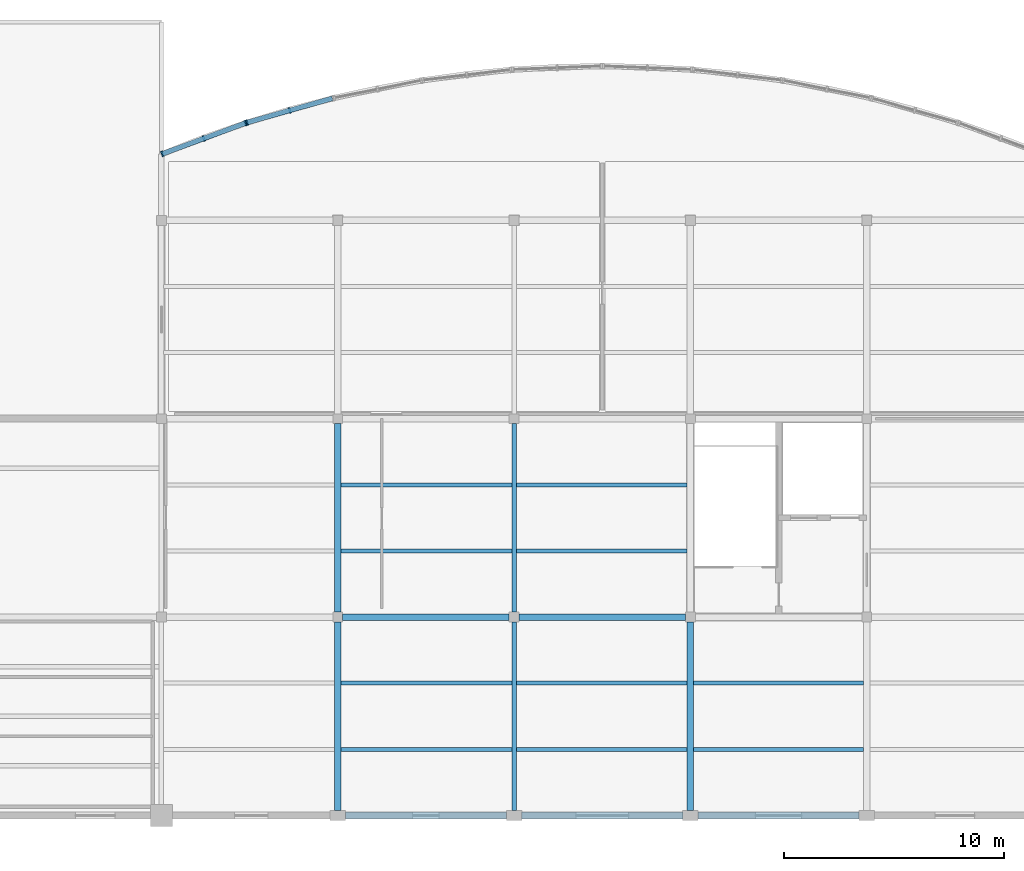
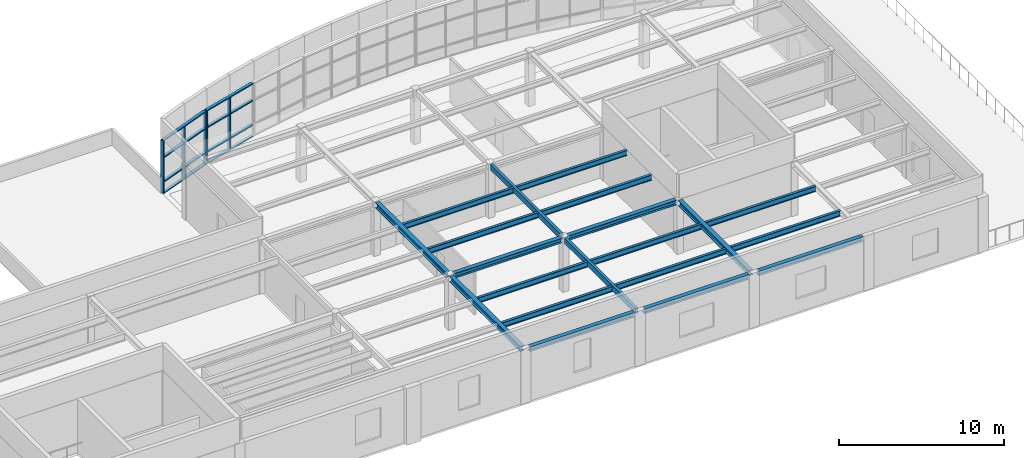
# One storey, part 2 of 9: 20 beams, 13 members, 2 elements without a shape of their own.
"""IFC4 building model written with IfcOpenShell, lengths in metres."""

from ifc_helpers import new_model, si_unit, direction, frame, origin, origin_2d, place, context, subcontext, project, spatial, rectangle, hollow_rectangle, i_section, extrude, material, layer, layer_set, material_profile, profile_set, type_object, element, aggregate, save


model = new_model("IFC4")

# Units and contexts
model_context = context("Model", 3, precision=1e-05, world=origin(), true_north=direction((0.0, 1.0)))
body_context = subcontext(model_context, "Body", "Model", "MODEL_VIEW")
ifc_project = project(units=[si_unit("LENGTHUNIT", "METRE"), si_unit("AREAUNIT", "SQUARE_METRE"), si_unit("VOLUMEUNIT", "CUBIC_METRE"), si_unit("PLANEANGLEUNIT", "RADIAN"), si_unit("MASSUNIT", "GRAM", prefix="KILO")], contexts=[model_context])

# Site, building, storey
site_placement = place(None, origin())
site = spatial("IfcSite", under=ifc_project, at=site_placement, CompositionType="ELEMENT")
building_placement = place(site_placement, origin())
building = spatial("IfcBuilding", under=site, at=building_placement, Name="Keelwater Ferry Terminal", CompositionType="ELEMENT")
storey_placement = place(building_placement, frame((0.0, 0.0, 23.699951171875)))
storey = spatial("IfcBuildingStorey", under=building, at=storey_placement, Name="L05", CompositionType="ELEMENT", Elevation=23.699951171875)

# Curtain wall, members
ifc_material_1 = material(Name="Thermally broken unitised aluminium and triple glass", Category="aluminium")
ifc_layer = layer(ifc_material_1, 0.179931640625)
ifc_layer_set = layer_set([ifc_layer], Name="Thermally broken unitised aluminium and triple glass")
curtain_wall_type = type_object("IfcCurtainWallType", Name="CW-24 Unitised Curtain Wall 4015x3900", PredefinedType="USERDEFINED", material=ifc_layer_set)
curtain_wall_1_placement = place(storey_placement, origin())
curtain_wall_1 = element("IfcCurtainWall", 1, at=curtain_wall_1_placement, inside=storey, type_object=curtain_wall_type, Name="Unitised Curtain Wall CW-L05-231", ObjectType="UNITISED CURTAIN WALL", PredefinedType="USERDEFINED")
ifc_material_2 = material(Name="Aluminium mullion", Category="aluminium")
ifc_material_profile_1 = material_profile(ifc_material_2, rectangle(XDim=0.080078125, YDim=0.25, at=origin_2d()), Name="CWM-04")
ifc_profile_set_1 = profile_set([ifc_material_profile_1], Name="Aluminium mullion")
member_type_1 = type_object("IfcMemberType", Name="CWM-04 Curtain Mullion 80x250", PredefinedType="MULLION", material=ifc_profile_set_1)
member_1_placement = place(storey_placement, frame((137.822509765625, 121.988037109375, 0.0), z_axis=(0.0, 0.0, 1.0), x_axis=(-0.962029778706, -0.272944508797, 0.0)))
member_1 = element("IfcMember", 2, at=member_1_placement, type_object=member_type_1, Name="CW-L05-231 Mullion 2", PredefinedType="MULLION", context=body_context, shape_type="SweptSolid", body=[
    extrude(rectangle(XDim=0.080078125, YDim=0.25, at=origin_2d()), origin(), (0.0, 0.0, 1.0), 3.900146484375),
])
member_2_placement = place(storey_placement, frame((135.89111328125, 121.43994140625, 0.0), z_axis=(0.0, 0.0, 1.0), x_axis=(-0.962029778706, -0.272944508797, 0.0)))
member_2 = element("IfcMember", 3, at=member_2_placement, type_object=member_type_1, Name="CW-L05-231 Mullion 3", PredefinedType="MULLION", context=body_context, shape_type="SweptSolid", body=[
    extrude(rectangle(XDim=0.080078125, YDim=0.25, at=origin_2d()), origin(), (0.0, 0.0, 1.0), 3.900146484375),
])

curtain_wall_2_placement = place(storey_placement, origin())
curtain_wall_2 = element("IfcCurtainWall", 4, at=curtain_wall_2_placement, inside=storey, type_object=curtain_wall_type, Name="Unitised Curtain Wall CW-L05-232", ObjectType="UNITISED CURTAIN WALL", PredefinedType="USERDEFINED")
member_3_placement = place(storey_placement, frame((135.805908203125, 121.412109375, 0.0), z_axis=(0.0, 0.0, 1.0), x_axis=(-0.937592418253, -0.347736189136, 0.0)))
member_3 = element("IfcMember", 5, at=member_3_placement, type_object=member_type_1, Name="CW-L05-232 Mullion 1", PredefinedType="MULLION", context=body_context, shape_type="SweptSolid", body=[
    extrude(rectangle(XDim=0.080078125, YDim=0.25, at=origin_2d()), origin(), (0.0, 0.0, 1.0), 3.900146484375),
])
member_4_placement = place(storey_placement, frame((133.924072265625, 120.714111328125, 0.0), z_axis=(0.0, 0.0, 1.0), x_axis=(-0.937592418253, -0.347736189136, 0.0)))
member_4 = element("IfcMember", 6, at=member_4_placement, type_object=member_type_1, Name="CW-L05-232 Mullion 2", PredefinedType="MULLION", context=body_context, shape_type="SweptSolid", body=[
    extrude(rectangle(XDim=0.080078125, YDim=0.25, at=origin_2d()), origin(), (0.0, 0.0, 1.0), 3.900146484375),
])
member_5_placement = place(storey_placement, frame((132.0419921875, 120.01611328125, 0.0), z_axis=(0.0, 0.0, 1.0), x_axis=(-0.937592418253, -0.347736189136, 0.0)))
member_5 = element("IfcMember", 7, at=member_5_placement, type_object=member_type_1, Name="CW-L05-232 Mullion 3", PredefinedType="MULLION", context=body_context, shape_type="SweptSolid", body=[
    extrude(rectangle(XDim=0.080078125, YDim=0.25, at=origin_2d()), origin(), (0.0, 0.0, 1.0), 3.900146484375),
])

# Member
ifc_material_3 = material(Name="Aluminium mullion", Category="aluminium")
ifc_material_profile_2 = material_profile(ifc_material_3, rectangle(XDim=0.219970703125, YDim=0.080078125, at=origin_2d()), Name="CWT-04")
ifc_profile_set_2 = profile_set([ifc_material_profile_2], Name="Aluminium mullion")
member_type_2 = type_object("IfcMemberType", Name="CWT-04 Curtain Transom 80x220", PredefinedType="USERDEFINED", material=ifc_profile_set_2)
member_6_placement = place(storey_placement, frame((139.75390625, 122.535888671875, 0.0), z_axis=(-0.962029386072, -0.272945892686, 0.0), x_axis=(0.272945892686, -0.962029386072, 0.0)))
member_6 = element("IfcMember", 8, at=member_6_placement, type_object=member_type_2, Name="CW-L05-231 Transom 1", ObjectType="TRANSOM", PredefinedType="USERDEFINED", context=body_context, shape_type="SweptSolid", body=[
    extrude(rectangle(XDim=0.219970703125, YDim=0.080078125, at=origin_2d()), origin(), (0.0, 0.0, 1.0), 4.01513671875),
])

member_7_placement = place(storey_placement, frame((139.75390625, 122.535888671875, 0.85009765625), z_axis=(-0.962029386072, -0.272945892686, 0.0), x_axis=(0.272945892686, -0.962029386072, 0.0)))
member_7 = element("IfcMember", 9, at=member_7_placement, type_object=member_type_2, Name="CW-L05-231 Transom 2", ObjectType="TRANSOM", PredefinedType="USERDEFINED", context=body_context, shape_type="SweptSolid", body=[
    extrude(rectangle(XDim=0.219970703125, YDim=0.080078125, at=origin_2d()), origin(), (0.0, 0.0, 1.0), 4.01513671875),
])

member_8_placement = place(storey_placement, frame((139.75390625, 122.535888671875, 2.650146484375), z_axis=(-0.962029386072, -0.272945892686, 0.0), x_axis=(0.272945892686, -0.962029386072, 0.0)))
member_8 = element("IfcMember", 10, at=member_8_placement, type_object=member_type_2, Name="CW-L05-231 Transom 3", ObjectType="TRANSOM", PredefinedType="USERDEFINED", context=body_context, shape_type="SweptSolid", body=[
    extrude(rectangle(XDim=0.219970703125, YDim=0.080078125, at=origin_2d()), origin(), (0.0, 0.0, 1.0), 4.01513671875),
])

member_9_placement = place(storey_placement, frame((139.75390625, 122.535888671875, 3.900146484375), z_axis=(-0.962029386072, -0.272945892686, 0.0), x_axis=(0.272945892686, -0.962029386072, 0.0)))
member_9 = element("IfcMember", 11, at=member_9_placement, type_object=member_type_2, Name="CW-L05-231 Transom 4", ObjectType="TRANSOM", PredefinedType="USERDEFINED", context=body_context, shape_type="SweptSolid", body=[
    extrude(rectangle(XDim=0.219970703125, YDim=0.080078125, at=origin_2d()), origin(), (0.0, 0.0, 1.0), 4.01513671875),
])

aggregate(curtain_wall_1, [member_1, member_2, member_6, member_7, member_8, member_9])

member_10_placement = place(storey_placement, frame((135.805908203125, 121.412109375, 0.0), z_axis=(-0.937590205769, -0.347742154543, 0.0), x_axis=(0.347742154543, -0.937590205769, 0.0)))
member_10 = element("IfcMember", 12, at=member_10_placement, type_object=member_type_2, Name="CW-L05-232 Transom 1", ObjectType="TRANSOM", PredefinedType="USERDEFINED", context=body_context, shape_type="SweptSolid", body=[
    extrude(rectangle(XDim=0.219970703125, YDim=0.080078125, at=origin_2d()), origin(), (0.0, 0.0, 1.0), 4.014404296875),
])

member_11_placement = place(storey_placement, frame((135.805908203125, 121.412109375, 0.85009765625), z_axis=(-0.937590205769, -0.347742154543, 0.0), x_axis=(0.347742154543, -0.937590205769, 0.0)))
member_11 = element("IfcMember", 13, at=member_11_placement, type_object=member_type_2, Name="CW-L05-232 Transom 2", ObjectType="TRANSOM", PredefinedType="USERDEFINED", context=body_context, shape_type="SweptSolid", body=[
    extrude(rectangle(XDim=0.219970703125, YDim=0.080078125, at=origin_2d()), origin(), (0.0, 0.0, 1.0), 4.014404296875),
])

member_12_placement = place(storey_placement, frame((135.805908203125, 121.412109375, 2.650146484375), z_axis=(-0.937590205769, -0.347742154543, 0.0), x_axis=(0.347742154543, -0.937590205769, 0.0)))
member_12 = element("IfcMember", 14, at=member_12_placement, type_object=member_type_2, Name="CW-L05-232 Transom 3", ObjectType="TRANSOM", PredefinedType="USERDEFINED", context=body_context, shape_type="SweptSolid", body=[
    extrude(rectangle(XDim=0.219970703125, YDim=0.080078125, at=origin_2d()), origin(), (0.0, 0.0, 1.0), 4.014404296875),
])

member_13_placement = place(storey_placement, frame((135.805908203125, 121.412109375, 3.900146484375), z_axis=(-0.937590205769, -0.347742154543, 0.0), x_axis=(0.347742154543, -0.937590205769, 0.0)))
member_13 = element("IfcMember", 15, at=member_13_placement, type_object=member_type_2, Name="CW-L05-232 Transom 4", ObjectType="TRANSOM", PredefinedType="USERDEFINED", context=body_context, shape_type="SweptSolid", body=[
    extrude(rectangle(XDim=0.219970703125, YDim=0.080078125, at=origin_2d()), origin(), (0.0, 0.0, 1.0), 4.014404296875),
])

aggregate(curtain_wall_2, [member_3, member_4, member_5, member_10, member_11, member_12, member_13])

# Beams
ifc_material_4 = material(Name="Steel S355", Category="steel")
ifc_material_profile_3 = material_profile(ifc_material_4, i_section(OverallWidth=0.300048828125, OverallDepth=0.39990234375, WebThickness=0.013427734375, FlangeThickness=0.02392578125, at=origin_2d()), Name="HEB 400")
ifc_profile_set_3 = profile_set([ifc_material_profile_3], Name="Steel S355")
beam_type_1 = type_object("IfcBeamType", Name="G7 HEB 400", PredefinedType="BEAM", material=ifc_profile_set_3)
for number, where, z_axis, x_axis, name in (
    (16, (140.0, 90.219970703125, 3.780029296875), (0.0, 1.0, 0.0), (-1.0, 0.0, 0.0), "Beam BM-L05-1599"),
    (17, (140.0, 99.219970703125, 3.780029296875), (0.0, 1.0, 0.0), (-1.0, 0.0, 0.0), "Beam BM-L05-1600"),
    (18, (156.0, 90.219970703125, 3.780029296875), (0.0, 1.0, 0.0), (-1.0, 0.0, 0.0), "Beam BM-L05-1605"),
):
    element("IfcBeam", number, at=place(storey_placement, frame(where, z_axis=z_axis, x_axis=x_axis)), inside=storey, type_object=beam_type_1, Name=name, PredefinedType="BEAM", context=body_context, shape_type="SweptSolid", body=[
        extrude(i_section(OverallWidth=0.300048828125, OverallDepth=0.39990234375, WebThickness=0.013427734375, FlangeThickness=0.02392578125, at=origin_2d()), origin(), (0.0, 0.0, 1.0), 8.56005859375),
    ])
ifc_material_5 = material(Name="Steel S355", Category="steel")
ifc_material_profile_4 = material_profile(ifc_material_5, i_section(OverallWidth=0.179931640625, OverallDepth=0.39990234375, WebThickness=0.008544921875, FlangeThickness=0.013427734375, at=origin_2d()), Name="IPE 400")
ifc_profile_set_4 = profile_set([ifc_material_profile_4], Name="Steel S355")
beam_type_2 = type_object("IfcBeamType", Name="J5 IPE 400", PredefinedType="JOIST", material=ifc_profile_set_4)
for number, where, z_axis, x_axis, name in (
    (19, (140.14990234375, 93.0, 3.780029296875), (1.0, 0.0, 0.0), (0.0, 1.0, 0.0), "Beam BM-L05-1627"),
    (20, (140.14990234375, 96.0, 3.780029296875), (1.0, 0.0, 0.0), (0.0, 1.0, 0.0), "Beam BM-L05-1628"),
    (21, (140.14990234375, 102.0, 3.780029296875), (1.0, 0.0, 0.0), (0.0, 1.0, 0.0), "Beam BM-L05-1629"),
    (22, (140.14990234375, 105.0, 3.780029296875), (1.0, 0.0, 0.0), (0.0, 1.0, 0.0), "Beam BM-L05-1630"),
    (23, (148.10009765625, 93.0, 3.780029296875), (1.0, 0.0, 0.0), (0.0, 1.0, 0.0), "Beam BM-L05-1633"),
    (24, (148.10009765625, 96.0, 3.780029296875), (1.0, 0.0, 0.0), (0.0, 1.0, 0.0), "Beam BM-L05-1634"),
    (25, (148.10009765625, 102.0, 3.780029296875), (1.0, 0.0, 0.0), (0.0, 1.0, 0.0), "Beam BM-L05-1635"),
    (26, (148.10009765625, 105.0, 3.780029296875), (1.0, 0.0, 0.0), (0.0, 1.0, 0.0), "Beam BM-L05-1636"),
):
    element("IfcBeam", number, at=place(storey_placement, frame(where, z_axis=z_axis, x_axis=x_axis)), inside=storey, type_object=beam_type_2, Name=name, PredefinedType="JOIST", context=body_context, shape_type="SweptSolid", body=[
        extrude(i_section(OverallWidth=0.179931640625, OverallDepth=0.39990234375, WebThickness=0.008544921875, FlangeThickness=0.013427734375, at=origin_2d()), origin(), (0.0, 0.0, 1.0), 7.75),
    ])
for number, where, z_axis, x_axis, name in (
    (27, (156.14990234375, 93.0, 3.780029296875), (1.0, 0.0, 0.0), (0.0, 1.0, 0.0), "Beam BM-L05-1639"),
    (28, (156.14990234375, 96.0, 3.780029296875), (1.0, 0.0, 0.0), (0.0, 1.0, 0.0), "Beam BM-L05-1640"),
):
    element("IfcBeam", number, at=place(storey_placement, frame(where, z_axis=z_axis, x_axis=x_axis)), inside=storey, type_object=beam_type_2, Name=name, PredefinedType="JOIST", context=body_context, shape_type="SweptSolid", body=[
        extrude(i_section(OverallWidth=0.179931640625, OverallDepth=0.39990234375, WebThickness=0.008544921875, FlangeThickness=0.013427734375, at=origin_2d()), origin(), (0.0, 0.0, 1.0), 7.7001953125),
    ])
ifc_material_6 = material(Name="Steel S355", Category="steel")
ifc_material_profile_5 = material_profile(ifc_material_6, i_section(OverallWidth=0.300048828125, OverallDepth=0.35009765625, WebThickness=0.010009765625, FlangeThickness=0.017578125, at=origin_2d()), Name="HEA 360")
ifc_profile_set_5 = profile_set([ifc_material_profile_5], Name="Steel S355")
beam_type_3 = type_object("IfcBeamType", Name="SP1E HEA 360", PredefinedType="SPANDREL", material=ifc_profile_set_5)
for number, where, z_axis, x_axis, name in (
    (29, (140.343017578125, 90.0, 3.804931640625), (1.0, 0.0, 0.0), (0.0, 1.0, 0.0), "Beam BM-L05-1569"),
    (30, (148.343017578125, 90.0, 3.804931640625), (1.0, 0.0, 0.0), (0.0, 1.0, 0.0), "Beam BM-L05-1570"),
    (31, (156.343017578125, 90.0, 3.804931640625), (1.0, 0.0, 0.0), (0.0, 1.0, 0.0), "Beam BM-L05-1571"),
):
    element("IfcBeam", number, at=place(storey_placement, frame(where, z_axis=z_axis, x_axis=x_axis)), inside=storey, type_object=beam_type_3, Name=name, PredefinedType="SPANDREL", context=body_context, shape_type="SweptSolid", body=[
        extrude(i_section(OverallWidth=0.300048828125, OverallDepth=0.35009765625, WebThickness=0.010009765625, FlangeThickness=0.017578125, at=origin_2d()), origin(), (0.0, 0.0, 1.0), 7.31396484375),
    ])
for number, where, z_axis, x_axis, name in (
    (32, (140.219970703125, 99.0, 3.804931640625), (1.0, 0.0, 0.0), (0.0, 1.0, 0.0), "Beam BM-L05-1576"),
    (33, (148.219970703125, 99.0, 3.804931640625), (1.0, 0.0, 0.0), (0.0, 1.0, 0.0), "Beam BM-L05-1577"),
):
    element("IfcBeam", number, at=place(storey_placement, frame(where, z_axis=z_axis, x_axis=x_axis)), inside=storey, type_object=beam_type_3, Name=name, PredefinedType="SPANDREL", context=body_context, shape_type="SweptSolid", body=[
        extrude(i_section(OverallWidth=0.300048828125, OverallDepth=0.35009765625, WebThickness=0.010009765625, FlangeThickness=0.017578125, at=origin_2d()), origin(), (0.0, 0.0, 1.0), 7.56005859375),
    ])
ifc_material_7 = material(Name="Steel S355", Category="steel")
ifc_material_profile_6 = material_profile(ifc_material_7, hollow_rectangle(XDim=0.199951171875, YDim=0.39990234375, WallThickness=0.01611328125, at=origin_2d()), Name="RHS 400x200x16")
ifc_profile_set_6 = profile_set([ifc_material_profile_6], Name="Steel S355")
beam_type_4 = type_object("IfcBeamType", Name="SP3E RHS 400x200x16", PredefinedType="SPANDREL", material=ifc_profile_set_6)
for number, where, z_axis, x_axis, name in (
    (34, (148.0, 90.219970703125, 3.780029296875), (0.0, 1.0, 0.0), (-1.0, 0.0, 0.0), "Beam BM-L05-1602"),
    (35, (148.0, 99.219970703125, 3.780029296875), (0.0, 1.0, 0.0), (-1.0, 0.0, 0.0), "Beam BM-L05-1603"),
):
    element("IfcBeam", number, at=place(storey_placement, frame(where, z_axis=z_axis, x_axis=x_axis)), inside=storey, type_object=beam_type_4, Name=name, PredefinedType="SPANDREL", context=body_context, shape_type="SweptSolid", body=[
        extrude(hollow_rectangle(XDim=0.199951171875, YDim=0.39990234375, WallThickness=0.01611328125, at=origin_2d()), origin(), (0.0, 0.0, 1.0), 8.56005859375),
    ])

save(model, "model.ifc")
